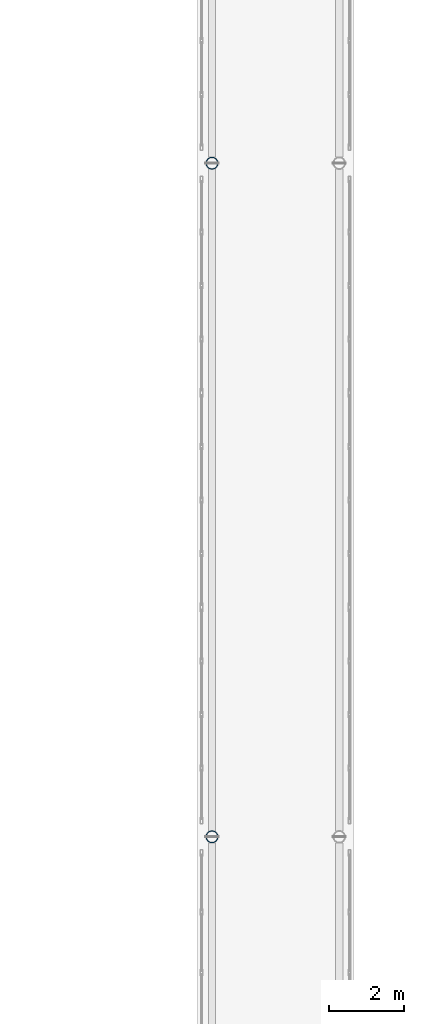
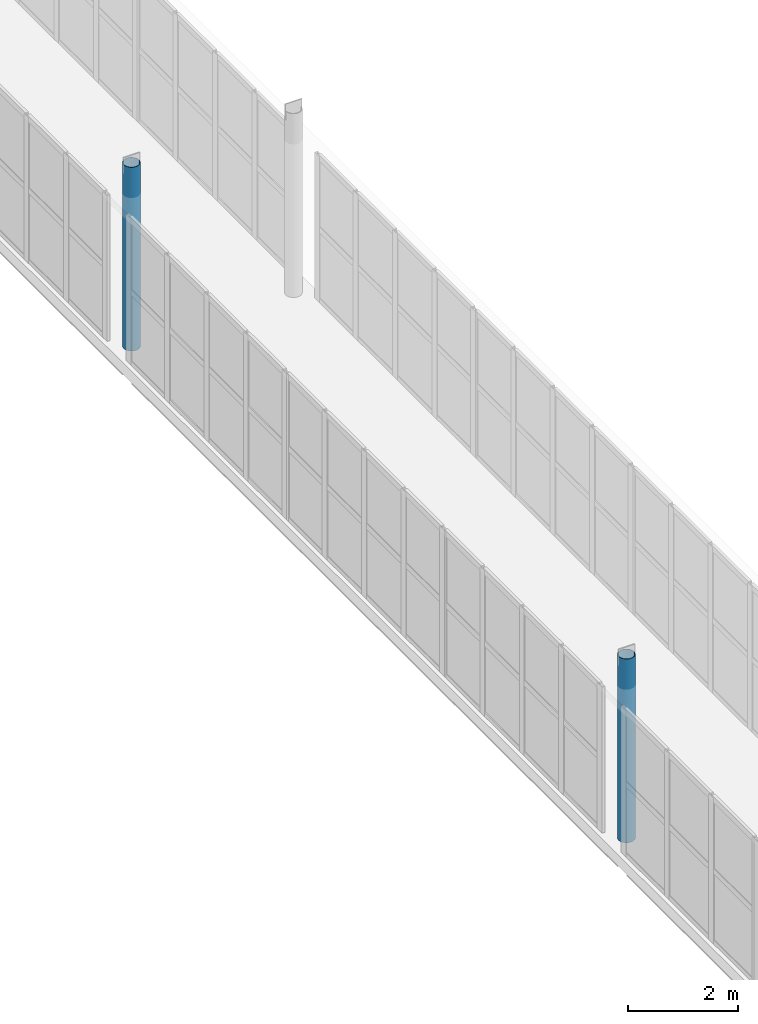
# One storey, part 3 of 52: 2 columns.
"""IFC4 building model written with IfcOpenShell, lengths in metres."""

from ifc_helpers import new_model, si_unit, direction, frame, origin, origin_2d, place, context, subcontext, project, spatial, hollow_circle, extrude, material, material_profile, profile_set, type_object, element, save


model = new_model("IFC4")

# Units and contexts
model_context = context("Model", 3, precision=1e-05, world=origin(), true_north=direction((0.0, 1.0)))
body_context = subcontext(model_context, "Body", "Model", "MODEL_VIEW")
ifc_project = project(units=[si_unit("LENGTHUNIT", "METRE"), si_unit("AREAUNIT", "SQUARE_METRE"), si_unit("VOLUMEUNIT", "CUBIC_METRE"), si_unit("PLANEANGLEUNIT", "RADIAN"), si_unit("MASSUNIT", "GRAM", prefix="KILO")], contexts=[model_context])

# Site, building, storey
site_placement = place(None, origin())
site = spatial("IfcSite", under=ifc_project, at=site_placement, CompositionType="ELEMENT")
building_placement = place(site_placement, origin())
building = spatial("IfcBuilding", under=site, at=building_placement, Name="Valcora Specialist Clinic", CompositionType="ELEMENT")
storey_placement = place(building_placement, frame((0.0, 0.0, 17.679931640625)))
storey = spatial("IfcBuildingStorey", under=building, at=storey_placement, Name="L04", CompositionType="ELEMENT", Elevation=17.679931640625)

# Columns
ifc_material = material(Name="Steel ASTM A500 Grade C", Category="steel")
ifc_material_profile = material_profile(ifc_material, hollow_circle(Radius=0.162109375, WallThickness=0.011962890625, at=origin_2d()), Name="ST-CHS-324X12")
ifc_profile_set = profile_set([ifc_material_profile], Name="Steel ASTM A500 Grade C")
column_type = type_object("IfcColumnType", Name="TY-COL-CHS324", PredefinedType="COLUMN", material=ifc_profile_set)
for number, where, z_axis, x_axis, name in (
    (1, (61.60009765625, 38.0, 0.0), (0.0, 0.0, 1.0), (1.0, 0.0, 0.0), "Column COL-L04-0970"),
    (2, (61.60009765625, 56.0, 0.0), (0.0, 0.0, 1.0), (1.0, 0.0, 0.0), "Column COL-L04-0976"),
):
    element("IfcColumn", number, at=place(storey_placement, frame(where, z_axis=z_axis, x_axis=x_axis)), inside=storey, type_object=column_type, Name=name, PredefinedType="COLUMN", context=body_context, shape_type="SweptSolid", body=[
        extrude(hollow_circle(Radius=0.162109375, WallThickness=0.011962890625, at=origin_2d()), origin(), (0.0, 0.0, 1.0), 4.080078125),
    ])

save(model, "model.ifc")
